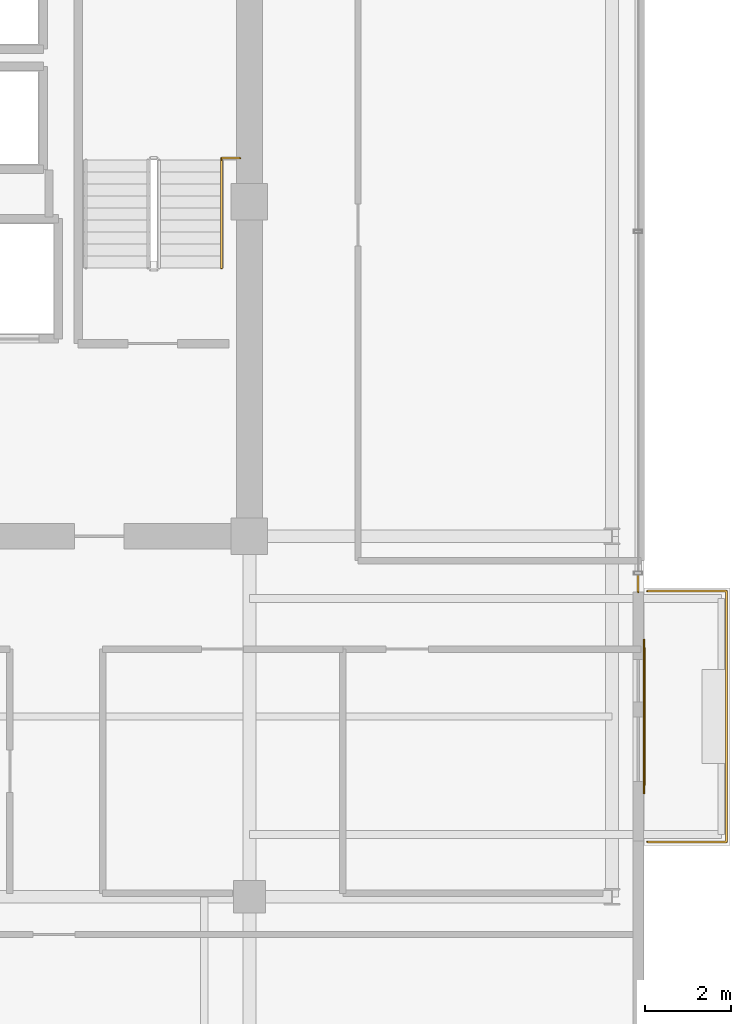
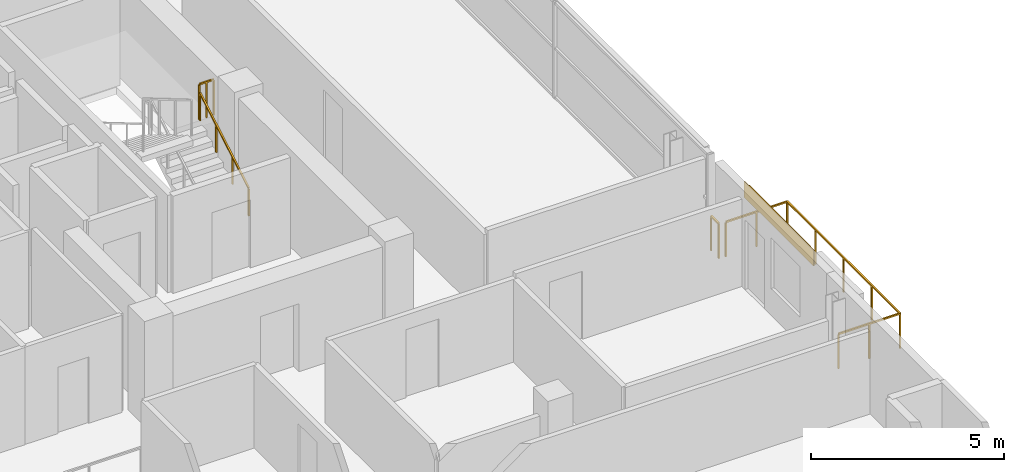
# One storey, part 21 of 22: 4 railings, 1 covering, 1 shading device.
"""IFC4 building model written with IfcOpenShell, lengths in metres."""

from ifc_helpers import new_model, si_unit, direction, frame, origin, origin_2d, place, context, subcontext, project, spatial, rectangle, extrude, source, transform, mapped, material, layer, layer_set, type_object, element, save


model = new_model("IFC4")

# Units and contexts
model_context = context("Model", 3, precision=1e-05, world=origin(), true_north=direction((0.0, 1.0)))
body_context = subcontext(model_context, "Body", "Model", "MODEL_VIEW")
ifc_project = project(units=[si_unit("LENGTHUNIT", "METRE"), si_unit("AREAUNIT", "SQUARE_METRE"), si_unit("VOLUMEUNIT", "CUBIC_METRE"), si_unit("PLANEANGLEUNIT", "RADIAN"), si_unit("MASSUNIT", "GRAM", prefix="KILO")], contexts=[model_context])

# Site, building, storey
site_placement = place(None, origin())
site = spatial("IfcSite", under=ifc_project, at=site_placement, CompositionType="ELEMENT")
building_placement = place(site_placement, origin())
building = spatial("IfcBuilding", under=site, at=building_placement, Name="Zarnakvel Exchange Tower", CompositionType="ELEMENT")
storey_placement = place(building_placement, frame((0.0, 0.0, 245.199951171875)))
storey = spatial("IfcBuildingStorey", under=building, at=storey_placement, Name="L69", CompositionType="ELEMENT", Elevation=245.199951171875)

# Railings
ifc_material_1 = material(Name="Architectural Bronze Anodised Aluminium", Category="aluminium")
railing_type_1 = type_object("IfcRailingType", Name="GR-02", PredefinedType="GUARDRAIL", material=ifc_material_1)
railing_1_placement = place(storey_placement, frame((23.679931640625, -8.320068359375, -0.034912109375)))
element("IfcRailing", 1, at=railing_1_placement, inside=storey, type_object=railing_type_1, Name="L69 Balcony Guardrail BAL-L69-E", PredefinedType="GUARDRAIL", context=body_context, shape_type="SweptSolid", body=[
    extrude(rectangle(XDim=0.048095703125, YDim=0.048095703125, at=origin_2d()), frame((0.0, 0.0, 1.09619140625), z_axis=(1.0, 0.0, 0.0), x_axis=(0.0, 1.0, 0.0)), (0.0, 0.0, 1.0), 1.840087890625),
    extrude(rectangle(XDim=0.048095703125, YDim=0.048095703125, at=origin_2d()), frame((1.840087890625, 0.0, 1.09619140625), z_axis=(0.0, 1.0, 0.0), x_axis=(-1.0, 0.0, 0.0)), (0.0, 0.0, 1.0), 5.840087890625),
    extrude(rectangle(XDim=0.048095703125, YDim=0.048095703125, at=origin_2d()), frame((1.840087890625, 5.840087890625, 1.09619140625), z_axis=(-1.0, 0.0, 0.0), x_axis=(0.0, -1.0, 0.0)), (0.0, 0.0, 1.0), 1.840087890625),
    extrude(rectangle(XDim=0.0419921875, YDim=0.0419921875, at=origin_2d()), origin(), (0.0, 0.0, 1.0), 1.072021484375),
    extrude(rectangle(XDim=0.0419921875, YDim=0.0419921875, at=origin_2d()), frame((0.919921875, 0.0, 0.0)), (0.0, 0.0, 1.0), 1.072021484375),
    extrude(rectangle(XDim=0.0419921875, YDim=0.0419921875, at=origin_2d()), frame((1.840087890625, 0.0, 0.0)), (0.0, 0.0, 1.0), 1.072021484375),
    extrude(rectangle(XDim=0.0419921875, YDim=0.0419921875, at=origin_2d()), frame((1.840087890625, 1.4599609375, 0.0)), (0.0, 0.0, 1.0), 1.072021484375),
    extrude(rectangle(XDim=0.0419921875, YDim=0.0419921875, at=origin_2d()), frame((1.840087890625, 2.919921875, 0.0)), (0.0, 0.0, 1.0), 1.072021484375),
    extrude(rectangle(XDim=0.0419921875, YDim=0.0419921875, at=origin_2d()), frame((1.840087890625, 4.380126953125, 0.0)), (0.0, 0.0, 1.0), 1.072021484375),
    extrude(rectangle(XDim=0.0419921875, YDim=0.0419921875, at=origin_2d()), frame((1.840087890625, 5.840087890625, 0.0)), (0.0, 0.0, 1.0), 1.072021484375),
    extrude(rectangle(XDim=0.0419921875, YDim=0.0419921875, at=origin_2d()), frame((0.919921875, 5.840087890625, 0.0)), (0.0, 0.0, 1.0), 1.072021484375),
    extrude(rectangle(XDim=0.0419921875, YDim=0.0419921875, at=origin_2d()), frame((0.0, 5.840087890625, 0.0)), (0.0, 0.0, 1.0), 1.072021484375),
])
railing_2_placement = place(storey_placement, frame((23.4599609375, -2.10009765625, 0.0)))
element("IfcRailing", 2, at=railing_2_placement, inside=storey, type_object=railing_type_1, Name="L69 Corner Spandrel Balustrade #9", PredefinedType="GUARDRAIL", context=body_context, shape_type="SweptSolid", body=[
    extrude(rectangle(XDim=0.048095703125, YDim=0.048095703125, at=origin_2d()), frame((0.0, 0.0, 1.09619140625), z_axis=(0.0, -1.0, 0.0), x_axis=(1.0, 0.0, 0.0)), (0.0, 0.0, 1.0), 0.39990234375),
    extrude(rectangle(XDim=0.0419921875, YDim=0.0419921875, at=origin_2d()), origin(), (0.0, 0.0, 1.0), 1.072021484375),
    extrude(rectangle(XDim=0.0419921875, YDim=0.0419921875, at=origin_2d()), frame((0.0, -0.39990234375, 0.0)), (0.0, 0.0, 1.0), 1.072021484375),
])
ifc_material_2 = material(Name="Brushed Stainless Steel", Category="steel")
railing_type_2 = type_object("IfcRailingType", Name="HR-01", PredefinedType="HANDRAIL", material=ifc_material_2)
railing_3_placement = place(storey_placement, frame((13.75, 5.050048828125, 0.1650390625)))
element("IfcRailing", 3, at=railing_3_placement, inside=storey, type_object=railing_type_2, Name="L69 ST-02 stair handrail 1", PredefinedType="HANDRAIL", context=body_context, shape_type="SweptSolid", body=[
    extrude(rectangle(XDim=0.048095703125, YDim=0.048095703125, at=origin_2d()), frame((0.0, 0.0, 0.8759765625), z_axis=(0.0, 0.86152411907, 0.507716645641), x_axis=(-1.0, 0.0, 0.0)), (0.0, 0.0, 1.0), 2.925048828125),
    extrude(rectangle(XDim=0.0419921875, YDim=0.0419921875, at=origin_2d()), origin(), (0.0, 0.0, 1.0), 0.851806640625),
    extrude(rectangle(XDim=0.0419921875, YDim=0.0419921875, at=origin_2d()), frame((0.0, 0.840087890625, 0.4951171875)), (0.0, 0.0, 1.0), 0.851806640625),
    extrude(rectangle(XDim=0.0419921875, YDim=0.0419921875, at=origin_2d()), frame((0.0, 1.679931640625, 0.989990234375)), (0.0, 0.0, 1.0), 0.851806640625),
    extrude(rectangle(XDim=0.0419921875, YDim=0.0419921875, at=origin_2d()), frame((0.0, 2.52001953125, 1.485107421875)), (0.0, 0.0, 1.0), 0.851806640625),
])
railing_type_3 = type_object("IfcRailingType", Name="SG-01", PredefinedType="GUARDRAIL", material=ifc_material_1)
railing_4_placement = place(storey_placement, frame((13.75, 7.610107421875, 1.650146484375)))
element("IfcRailing", 4, at=railing_4_placement, inside=storey, type_object=railing_type_3, Name="L69 ST-02 Landing Slot Guardrail", PredefinedType="GUARDRAIL", context=body_context, shape_type="SweptSolid", body=[
    extrude(rectangle(XDim=0.048095703125, YDim=0.048095703125, at=origin_2d()), frame((0.0, 0.0, 1.1259765625), z_axis=(1.0, 0.0, 0.0), x_axis=(0.0, 1.0, 0.0)), (0.0, 0.0, 1.0), 0.429931640625),
    extrude(rectangle(XDim=0.0419921875, YDim=0.0419921875, at=origin_2d()), origin(), (0.0, 0.0, 1.0), 1.101806640625),
    extrude(rectangle(XDim=0.0419921875, YDim=0.0419921875, at=origin_2d()), frame((0.21484375, 0.0, 0.0)), (0.0, 0.0, 1.0), 1.101806640625),
    extrude(rectangle(XDim=0.0419921875, YDim=0.0419921875, at=origin_2d()), frame((0.429931640625, 0.0, 0.0)), (0.0, 0.0, 1.0), 1.101806640625),
])

# Covering
ifc_material_3 = material(Name="Warm Sandstone Terracotta Spandrel Tile", Category="masonry")
ifc_layer_1 = layer(ifc_material_3, 0.031982421875)
ifc_layer_set_1 = layer_set([ifc_layer_1], Name="Warm Sandstone Terracotta Spandrel Tile")
covering_type = type_object("IfcCoveringType", Name="CL-02", PredefinedType="CLADDING", material=ifc_layer_set_1)
shared_shape_1 = source(origin(), body_context, "Body", "SweptSolid", [
    extrude(rectangle(XDim=3.60009765625, YDim=0.031982421875, at=origin_2d()), origin(), (0.0, 0.0, 1.0), 0.4951171875),
])
covering_placement = place(storey_placement, frame((23.593994140625, -5.39990234375, 2.56005859375), z_axis=(0.0, 0.0, 1.0), x_axis=(0.0, -1.0, 0.0)))
element("IfcCovering", 5, at=covering_placement, inside=storey, type_object=covering_type, Name="L69 Ceramic Spandrel Tilework CL-02", PredefinedType="CLADDING", context=body_context, shape_type="MappedRepresentation", body=[
    mapped(shared_shape_1, transform((0.0, 0.0, 0.0), x_axis=(1.0, 0.0, 0.0), y_axis=(0.0, 1.0, 0.0), z_axis=(0.0, 0.0, 1.0), scale=1.0)),
])

# Shading device
ifc_material_4 = material(Name="Perforated Architectural Bronze Screen", Category="aluminium")
ifc_layer_2 = layer(ifc_material_4, 0.044921875)
ifc_layer_set_2 = layer_set([ifc_layer_2], Name="Perforated Architectural Bronze Screen")
shading_device_type = type_object("IfcShadingDeviceType", Name="SS-01", PredefinedType="JALOUSIE", material=ifc_layer_set_2)
shared_shape_2 = source(origin(), body_context, "Body", "SweptSolid", [
    extrude(rectangle(XDim=3.199951171875, YDim=0.044921875, at=origin_2d()), origin(), (0.0, 0.0, 1.0), 0.4951171875),
])
shading_device_placement = place(storey_placement, frame((23.6005859375, -5.39990234375, 2.56005859375), z_axis=(0.0, 0.0, 1.0), x_axis=(0.0, -1.0, 0.0)))
element("IfcShadingDevice", 6, at=shading_device_placement, inside=storey, type_object=shading_device_type, Name="L69 Bronze Solar Shading Screen SS-01", PredefinedType="JALOUSIE", context=body_context, shape_type="MappedRepresentation", body=[
    mapped(shared_shape_2, transform((0.0, 0.0, 0.0), x_axis=(1.0, 0.0, 0.0), y_axis=(0.0, 1.0, 0.0), z_axis=(0.0, 0.0, 1.0), scale=1.0)),
])

save(model, "model.ifc")
